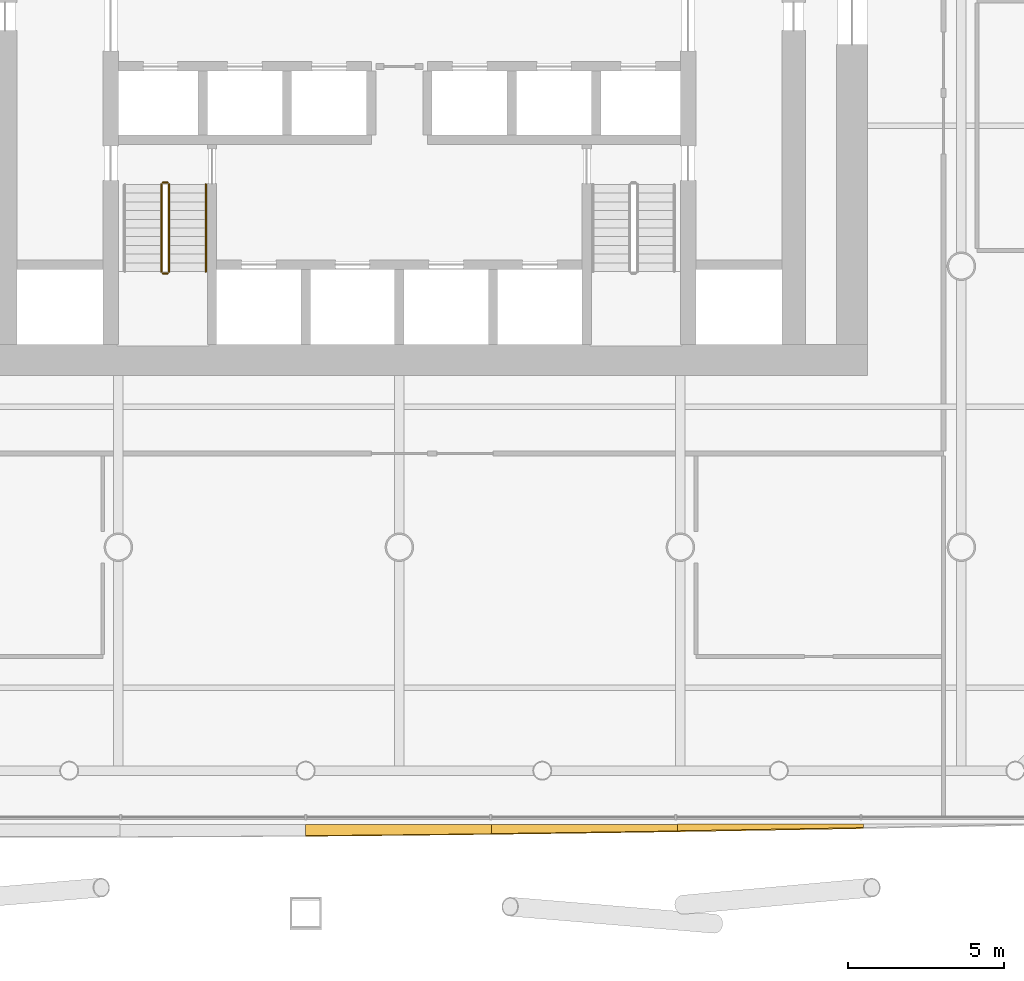
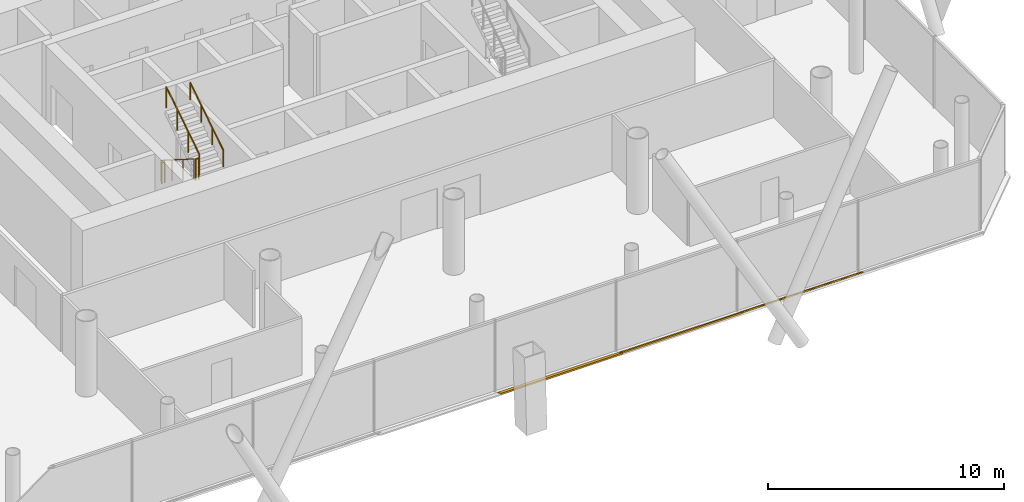
# One storey, part 22 of 25: 5 railings, 3 shading devices.
"""IFC4 building model written with IfcOpenShell, lengths in metres."""

from ifc_helpers import new_model, si_unit, direction, frame, origin, origin_2d, place, context, subcontext, project, spatial, polyline, circle, outline, extrude, material, layer, layer_set, type_object, element, save


model = new_model("IFC4")

# Units and contexts
model_context = context("Model", 3, precision=1e-05, world=origin(), true_north=direction((0.0, 1.0)))
body_context = subcontext(model_context, "Body", "Model", "MODEL_VIEW")
ifc_project = project(units=[si_unit("LENGTHUNIT", "METRE"), si_unit("AREAUNIT", "SQUARE_METRE"), si_unit("VOLUMEUNIT", "CUBIC_METRE"), si_unit("PLANEANGLEUNIT", "RADIAN"), si_unit("MASSUNIT", "GRAM", prefix="KILO")], contexts=[model_context])

# Site, building, storey
site_placement = place(None, origin())
site = spatial("IfcSite", under=ifc_project, at=site_placement, CompositionType="ELEMENT")
building_placement = place(site_placement, origin())
building = spatial("IfcBuilding", under=site, at=building_placement, Name="Tskaro Facet Tower", CompositionType="ELEMENT")
storey_placement = place(building_placement, frame((0.0, 0.0, 34.199951171875)))
storey = spatial("IfcBuildingStorey", under=building, at=storey_placement, Name="L07", CompositionType="ELEMENT", Elevation=34.199951171875)

# Shading devices
ifc_material_1 = material(Name="Bronze anodised aluminium 6063-T6", Category="aluminium")
ifc_layer = layer(ifc_material_1, 0.06005859375, Name="Bronze anodised aluminium 6063-T6")
ifc_layer_set = layer_set([ifc_layer], Name="Bronze anodised aluminium 6063-T6")
shading_device_type = type_object("IfcShadingDeviceType", Name="Bronze sun blade (FN1)", PredefinedType="USERDEFINED", material=ifc_layer_set)
shading_device_1_placement = place(storey_placement, frame((-3.0, -26.878662109375, 0.054443359375), z_axis=(7.306539e-06, 0.422594341808, 0.906318940671), x_axis=(0.999999999973, -3.087702e-06, -6.622055e-06)))
element("IfcShadingDevice", 1, at=shading_device_1_placement, inside=storey, type_object=shading_device_type, Name="Fin blade south 5", ObjectType="FIN", PredefinedType="USERDEFINED", context=body_context, shape_type="SweptSolid", body=[
    extrude(outline(polyline([(0.0, 0.0), (5.954345702966062, 0.0), (5.954345703596366, -0.32832919308116126), (5.209960936782249, -0.33837326020969116), (4.46557617169389, -0.3477684438994934), (3.7214355464766915, -0.3569423583166651), (2.977050781497378, -0.36579183101447293), (2.2329101564982707, -0.3738743234476558), (1.4885253901203361, -0.3817355466082081), (0.7443847660931532, -0.38894788633003274), (-6.669044273552909e-11, -0.3957176875065962), (0.0, 0.0)])), origin(), (0.0, 0.0, -1.0), 0.06005859375),
])
shading_device_2_placement = place(storey_placement, frame((2.954345703125, -26.8740234375, 0.052001953125), z_axis=(1.316716e-06, 0.500052092684, 0.865995325969), x_axis=(0.999999999999, -6.58427e-07, -1.14027e-06)))
element("IfcShadingDevice", 2, at=shading_device_2_placement, inside=storey, type_object=shading_device_type, Name="Fin blade south 6", ObjectType="FIN", PredefinedType="USERDEFINED", context=body_context, shape_type="SweptSolid", body=[
    extrude(outline(polyline([(0.0, 0.0), (5.954101562494839, 0.0), (5.9541015624786775, -0.24555862586429597), (5.209960937400444, -0.2591253334428421), (4.46557617181485, -0.27235853335081833), (3.7211914061861444, -0.2850468009480952), (2.977050781300077, -0.2974015608748022), (2.2326660156282596, -0.3095448961613797), (1.4885253906990805, -0.32135472377738733), (0.7441406251017901, -0.3326196190826956), (-3.1249020897188267e-11, -0.34367308974787447), (0.0, 0.0)])), origin(), (0.0, 0.0, -1.0), 0.06005859375),
])
shading_device_3_placement = place(storey_placement, frame((8.908447265625, -26.86962890625, 0.04931640625), z_axis=(7.5592e-08, 0.573209683107, 0.819408725358), x_axis=(1.0, -4.333e-08, -6.1941e-08)))
element("IfcShadingDevice", 3, at=shading_device_3_placement, inside=storey, type_object=shading_device_type, Name="Fin blade south 7", ObjectType="FIN", PredefinedType="USERDEFINED", context=body_context, shape_type="SweptSolid", body=[
    extrude(outline(polyline([(0.0, 0.0), (5.954345703124983, 0.0), (5.954345703133927, -0.13518531026790193), (5.209960937490407, -0.1514458690595256), (4.465820312497588, -0.16776653503919864), (3.7214355468737343, -0.18354715533190333), (2.9772949218748805, -0.19932777562460802), (2.23291015625557, -0.21476840118868362), (1.4885253906256817, -0.23000897579441998), (0.7443847656253364, -0.24490955567152722), (4.534776181605229e-12, -0.25947014082000536), (0.0, 0.0)])), origin(), (0.0, 0.0, -1.0), 0.06005859375),
])

# Railings
ifc_material_2 = material(Name="Stainless steel", Category="steel")
railing_type_1 = type_object("IfcRailingType", Name="RL-GUARD-1100", PredefinedType="GUARDRAIL", material=ifc_material_2)
railing_1_placement = place(storey_placement, frame((-7.625, -6.375, 0.17724609375)))
element("IfcRailing", 4, at=railing_1_placement, inside=storey, type_object=railing_type_1, Name="L07 ST-1 stair guard 1", PredefinedType="GUARDRAIL", context=body_context, shape_type="SweptSolid", body=[
    extrude(circle(Radius=0.02392578125, at=origin_2d()), frame((0.0, 0.0, 1.076171875), z_axis=(0.0, -0.844908973607, 0.534910110503), x_axis=(1.0, 0.0, 0.0)), (0.0, 0.0, 1.0), 3.31396484375),
    extrude(circle(Radius=0.02099609375, at=origin_2d()), origin(), (0.0, 0.0, 1.0), 1.052001953125),
    extrude(circle(Radius=0.02099609375, at=origin_2d()), frame((0.0, -0.933349609375, 0.5908203125)), (0.0, 0.0, 1.0), 1.052001953125),
    extrude(circle(Radius=0.02099609375, at=origin_2d()), frame((0.0, -1.86669921875, 1.181884765625)), (0.0, 0.0, 1.0), 1.052001953125),
    extrude(circle(Radius=0.02099609375, at=origin_2d()), frame((0.0, -2.800048828125, 1.772705078125)), (0.0, 0.0, 1.0), 1.052001953125),
])
railing_2_placement = place(storey_placement, frame((-7.574951171875, -9.22509765625, 1.949951171875)))
element("IfcRailing", 5, at=railing_2_placement, inside=storey, type_object=railing_type_1, Name="L07 ST-1 stair guard 2", PredefinedType="GUARDRAIL", context=body_context, shape_type="SweptSolid", body=[
    extrude(circle(Radius=0.02392578125, at=origin_2d()), frame((0.0, 0.0, 1.076171875), z_axis=(1.0, 0.0, 0.0), x_axis=(0.0, 1.0, 0.0)), (0.0, 0.0, 1.0), 0.14990234375),
    extrude(circle(Radius=0.02099609375, at=origin_2d()), origin(), (0.0, 0.0, 1.0), 1.052001953125),
    extrude(circle(Radius=0.02099609375, at=origin_2d()), frame((0.14990234375, 0.0, 0.0)), (0.0, 0.0, 1.0), 1.052001953125),
])
railing_3_placement = place(storey_placement, frame((-7.375, -9.175048828125, 2.12744140625)))
element("IfcRailing", 6, at=railing_3_placement, inside=storey, type_object=railing_type_1, Name="L07 ST-1 stair guard 3", PredefinedType="GUARDRAIL", context=body_context, shape_type="SweptSolid", body=[
    extrude(circle(Radius=0.02392578125, at=origin_2d()), frame((0.0, 0.0, 1.076171875), z_axis=(0.0, 0.844908973607, 0.534910110503), x_axis=(-1.0, 0.0, 0.0)), (0.0, 0.0, 1.0), 3.31396484375),
    extrude(circle(Radius=0.02099609375, at=origin_2d()), origin(), (0.0, 0.0, 1.0), 1.052001953125),
    extrude(circle(Radius=0.02099609375, at=origin_2d()), frame((0.0, 0.933349609375, 0.5908203125)), (0.0, 0.0, 1.0), 1.052001953125),
    extrude(circle(Radius=0.02099609375, at=origin_2d()), frame((0.0, 1.86669921875, 1.181884765625)), (0.0, 0.0, 1.0), 1.052001953125),
    extrude(circle(Radius=0.02099609375, at=origin_2d()), frame((0.0, 2.800048828125, 1.772705078125)), (0.0, 0.0, 1.0), 1.052001953125),
])
railing_4_placement = place(storey_placement, frame((-7.574951171875, -6.324951171875, 0.0)))
element("IfcRailing", 7, at=railing_4_placement, inside=storey, type_object=railing_type_1, Name="L07 ST-1 stair guard 4", PredefinedType="GUARDRAIL", context=body_context, shape_type="SweptSolid", body=[
    extrude(circle(Radius=0.02392578125, at=origin_2d()), frame((0.0, 0.0, 1.076171875), z_axis=(1.0, 0.0, 0.0), x_axis=(0.0, 1.0, 0.0)), (0.0, 0.0, 1.0), 0.14990234375),
    extrude(circle(Radius=0.02099609375, at=origin_2d()), origin(), (0.0, 0.0, 1.0), 1.052001953125),
    extrude(circle(Radius=0.02099609375, at=origin_2d()), frame((0.14990234375, 0.0, 0.0)), (0.0, 0.0, 1.0), 1.052001953125),
])
railing_type_2 = type_object("IfcRailingType", Name="RL-HANDRAIL-900", PredefinedType="HANDRAIL", material=ifc_material_2)
railing_5_placement = place(storey_placement, frame((-6.199951171875, -9.175048828125, 2.12744140625)))
element("IfcRailing", 8, at=railing_5_placement, inside=storey, type_object=railing_type_2, Name="L07 ST-1 stair handrail 2", PredefinedType="HANDRAIL", context=body_context, shape_type="SweptSolid", body=[
    extrude(circle(Radius=0.02392578125, at=origin_2d()), frame((0.0, 0.0, 0.8759765625), z_axis=(0.0, 0.844908973607, 0.534910110503), x_axis=(-1.0, 0.0, 0.0)), (0.0, 0.0, 1.0), 3.31396484375),
    extrude(circle(Radius=0.02099609375, at=origin_2d()), origin(), (0.0, 0.0, 1.0), 0.851806640625),
    extrude(circle(Radius=0.02099609375, at=origin_2d()), frame((0.0, 0.933349609375, 0.5908203125)), (0.0, 0.0, 1.0), 0.851806640625),
    extrude(circle(Radius=0.02099609375, at=origin_2d()), frame((0.0, 1.86669921875, 1.181884765625)), (0.0, 0.0, 1.0), 0.851806640625),
    extrude(circle(Radius=0.02099609375, at=origin_2d()), frame((0.0, 2.800048828125, 1.772705078125)), (0.0, 0.0, 1.0), 0.851806640625),
])

save(model, "model.ifc")
